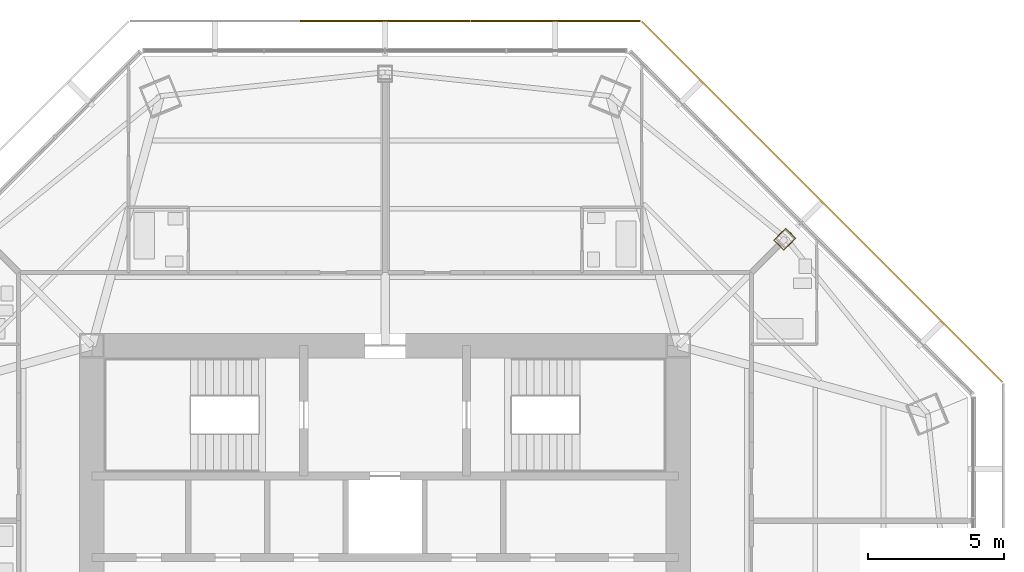
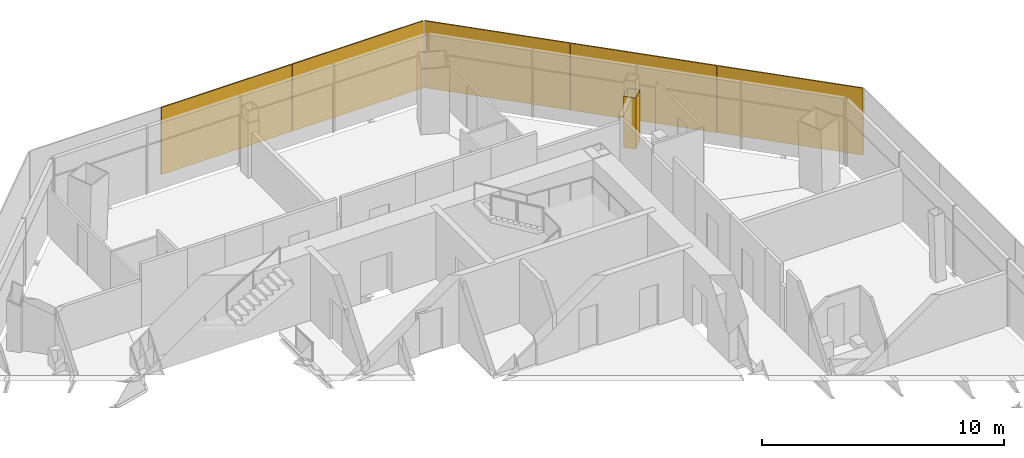
# One storey, part 14 of 15: 5 shading devices, 1 covering.
"""IFC4 building model written with IfcOpenShell, lengths in metres."""

import ifcopenshell
import ifcopenshell.guid

model = None  # the IFC model being written
_history = None  # IfcOwnerHistory: only IFC2X3 demands one
_inside = {}  # id of a spatial element -> (the spatial element, [elements in it])
_under = {}  # id of a project, library or spatial element -> (it, [spatial elements below it])
_declared = {}  # id of a project -> (the project, [libraries it declares])
_typed = {}  # id of a type object -> (the type object, [elements of that type])
_made_of = {}  # id of a material, layer set ... -> (it, [elements and type objects made of it])


def new_model(schema):
    """Start an empty IFC model of exactly this schema.

    Asked for "IFC4X3", IfcOpenShell would pick the latest addendum, in which some entities
    have other attributes; the version numbers below select the first issue.
    IFC2X3 requires an IfcOwnerHistory on every rooted entity: one is made here for all.
    """
    global model, _history
    if schema == "IFC4X3":
        model = ifcopenshell.file(schema_version=(4, 3, 0, 0))
    else:
        model = ifcopenshell.file(schema=schema)
    _inside.clear()
    _under.clear()
    _declared.clear()
    _typed.clear()
    _made_of.clear()
    _history = None
    if model.schema == "IFC2X3":
        org = make("IfcOrganization", Name="unknown")
        user = make(
            "IfcPersonAndOrganization",
            ThePerson=make("IfcPerson", FamilyName="unknown"),
            TheOrganization=org,
        )
        app = make(
            "IfcApplication",
            ApplicationDeveloper=org,
            Version="unknown",
            ApplicationFullName="unknown",
            ApplicationIdentifier="unknown",
        )
        _history = make(
            "IfcOwnerHistory",
            OwningUser=user,
            OwningApplication=app,
            ChangeAction="ADDED",
            CreationDate=0,
        )
    return model


def make(cls, **values):
    """One entity of the class cls with the attributes given. An attribute that is None is left unset."""
    return model.create_entity(
        cls, **{name: value for name, value in values.items() if value is not None}
    )


def rooted(cls, **values):
    """An entity with a GlobalId (a new one), such as an element, a storey or a relation."""
    return make(cls, GlobalId=ifcopenshell.guid.new(), OwnerHistory=_history, **values)


def si_unit(unit_type, name, prefix=None):
    """IfcSIUnit, for example si_unit("LENGTHUNIT", "METRE", prefix="MILLI")."""
    return make("IfcSIUnit", UnitType=unit_type, Prefix=prefix, Name=name)


def assignment(units):
    """IfcUnitAssignment: the units of a project."""
    return None if units is None else make("IfcUnitAssignment", Units=units)


def point(xyz):
    """IfcCartesianPoint."""
    return None if xyz is None else make("IfcCartesianPoint", Coordinates=xyz)


def direction(xyz):
    """IfcDirection."""
    return None if xyz is None else make("IfcDirection", DirectionRatios=xyz)


def frame(location, z_axis=None, x_axis=None):
    """IfcAxis2Placement3D, a coordinate frame: its origin and axes. An axis left out is left unset."""
    return make(
        "IfcAxis2Placement3D",
        Location=point(location),
        Axis=direction(z_axis),
        RefDirection=direction(x_axis),
    )


def frame_2d(location, x_axis=None):
    """IfcAxis2Placement2D, a coordinate frame in the plane: its origin and x axis."""
    return make(
        "IfcAxis2Placement2D", Location=point(location), RefDirection=direction(x_axis)
    )


def origin():
    """The frame at (0, 0, 0) with its axes left unset."""
    return frame((0.0, 0.0, 0.0))


def origin_2d():
    """The frame at (0, 0) in the plane with its x axis left unset."""
    return frame_2d((0.0, 0.0))


def place(relative_to, where):
    """IfcLocalPlacement: puts the frame where relative to a parent placement (None: the world)."""
    return make(
        "IfcLocalPlacement", PlacementRelTo=relative_to, RelativePlacement=where
    )


def context(
    kind, dimensions, precision=None, world=None, true_north=None, identifier=None
):
    """IfcGeometricRepresentationContext, for example the 3D "Model" context."""
    return make(
        "IfcGeometricRepresentationContext",
        ContextIdentifier=identifier,
        ContextType=kind,
        CoordinateSpaceDimension=dimensions,
        Precision=precision,
        WorldCoordinateSystem=world,
        TrueNorth=true_north,
    )


def subcontext(parent, identifier, kind, view, scale=None):
    """IfcGeometricRepresentationSubContext, for example "Body" below "Model"."""
    return make(
        "IfcGeometricRepresentationSubContext",
        ContextIdentifier=identifier,
        ContextType=kind,
        ParentContext=parent,
        TargetScale=scale,
        TargetView=view,
    )


def project(units=None, contexts=None):
    """IfcProject with its units and contexts."""
    return rooted(
        "IfcProject",
        Name="project",
        RepresentationContexts=contexts,
        UnitsInContext=assignment(units),
    )


def spatial(cls, under=None, at=None, **own):
    """A site, building, storey or space (cls), placed at a placement, below another one or the project."""
    s = rooted(cls, ObjectPlacement=at, **own)
    if under is not None:
        _under.setdefault(under.id(), (under, []))[1].append(s)
    return s


def polyline(points):
    """IfcPolyline through the points."""
    return make("IfcPolyline", Points=[point(p) for p in points])


def profile(cls, at=None, kind="AREA", **sizes):
    """A parametric profile (cls). Its sizes go by their IFC names, for example OverallWidth=200.0."""
    return make(cls, ProfileType=kind, Position=at, **sizes)


def rectangle(**sizes):
    """IfcRectangleProfileDef."""
    return profile("IfcRectangleProfileDef", **sizes)


def outline(outer, holes=None, kind="AREA"):
    """IfcArbitraryClosedProfileDef: a profile drawn as a closed curve; with holes, ...WithVoids."""
    if holes is None:
        return make("IfcArbitraryClosedProfileDef", ProfileType=kind, OuterCurve=outer)
    return make(
        "IfcArbitraryProfileDefWithVoids",
        ProfileType=kind,
        OuterCurve=outer,
        InnerCurves=holes,
    )


def extrude(swept, where, along, depth):
    """IfcExtrudedAreaSolid: the profile swept, set in the frame where, extruded along a direction by depth."""
    return make(
        "IfcExtrudedAreaSolid",
        SweptArea=swept,
        Position=where,
        ExtrudedDirection=direction(along),
        Depth=depth,
    )


def shape(context_of_items, identifier, shape_type, items):
    """IfcShapeRepresentation: the items that make up one representation, for example the "Body"."""
    return make(
        "IfcShapeRepresentation",
        ContextOfItems=context_of_items,
        RepresentationIdentifier=identifier,
        RepresentationType=shape_type,
        Items=items,
    )


def source(mapping_origin, context_of_items, identifier, shape_type, items):
    """IfcRepresentationMap: a shape defined once, which mapped items show again and again."""
    return make(
        "IfcRepresentationMap",
        MappingOrigin=mapping_origin,
        MappedRepresentation=shape(context_of_items, identifier, shape_type, items),
    )


def transform(
    local_origin,
    x_axis=None,
    y_axis=None,
    z_axis=None,
    scale=None,
    scale2=None,
    scale3=None,
    uniform=True,
):
    """IfcCartesianTransformationOperator3D, or its non-uniform kind. x_axis, y_axis, z_axis: its Axis1, 2, 3."""
    if uniform:
        return make(
            "IfcCartesianTransformationOperator3D",
            Axis1=direction(x_axis),
            Axis2=direction(y_axis),
            LocalOrigin=point(local_origin),
            Scale=scale,
            Axis3=direction(z_axis),
        )
    return make(
        "IfcCartesianTransformationOperator3DnonUniform",
        Axis1=direction(x_axis),
        Axis2=direction(y_axis),
        LocalOrigin=point(local_origin),
        Scale=scale,
        Axis3=direction(z_axis),
        Scale2=scale2,
        Scale3=scale3,
    )


def mapped(mapping_source, mapping_target):
    """IfcMappedItem: shows the shape of a source again, moved by a transform."""
    return make(
        "IfcMappedItem", MappingSource=mapping_source, MappingTarget=mapping_target
    )


def material(Name=None, Category=None):
    """IfcMaterial."""
    return make("IfcMaterial", Name=Name, Category=Category)


def layer(
    of_material, thickness, ventilated=None, Name=None, Category=None, Priority=None
):
    """IfcMaterialLayer: one layer of a wall or slab, of a material (None: an air gap)."""
    return make(
        "IfcMaterialLayer",
        Material=of_material,
        LayerThickness=thickness,
        IsVentilated=ventilated,
        Name=Name,
        Category=Category,
        Priority=Priority,
    )


def layer_set(layers, Name=None):
    """IfcMaterialLayerSet."""
    return make("IfcMaterialLayerSet", MaterialLayers=layers, LayerSetName=Name)


def made_of(thing, what):
    """Note that an element or type object is made of a material, layer set ...; save() writes the relation."""
    if what is not None:
        _made_of.setdefault(what.id(), (what, []))[1].append(thing)
    return thing


def type_object(cls, material=None, **own):
    """A type object (cls), such as IfcWallType, which elements share."""
    return made_of(rooted(cls, **own), material)


def type_shapes(of_type, sources):
    """Give a type object the sources (RepresentationMaps) that its elements show as mapped items."""
    of_type.RepresentationMaps = sources


def element(
    cls,
    number,
    at=None,
    inside=None,
    cuts=None,
    type_object=None,
    material=None,
    context=None,
    identifier="Body",
    shape_type=None,
    held_by="IfcProductDefinitionShape",
    body=None,
    shapes=None,
    **own,
):
    """One element of the class cls, such as IfcWall. Its Tag is "e" and its number.

    at: its placement. inside: the storey or other place that contains it. cuts: it is an
    opening in that element (IfcRelVoidsElement). A single representation is given by context,
    identifier, shape_type and body (its items); several are given by shapes. held_by: the class
    of the entity that holds the representations. save() writes the other relations.
    """
    e = rooted(cls, Tag="e%d" % number, ObjectPlacement=at, **own)
    if body is not None:
        shapes = [shape(context, identifier, shape_type, body)]
    if shapes is not None:
        e.Representation = make(held_by, Representations=shapes)
    if inside is not None:
        _inside.setdefault(inside.id(), (inside, []))[1].append(e)
    if cuts is not None:
        rooted(
            "IfcRelVoidsElement", RelatingBuildingElement=cuts, RelatedOpeningElement=e
        )
    if type_object is not None:
        _typed.setdefault(type_object.id(), (type_object, []))[1].append(e)
    return made_of(e, material)


def aggregate(whole, parts):
    """IfcRelAggregates: a whole, such as a stair, and the parts it consists of."""
    return rooted("IfcRelAggregates", RelatingObject=whole, RelatedObjects=parts)


def save(model, path):
    """Write the relations noted so far, then the file.

    IfcRelAggregates (storeys below a building ...), IfcRelContainedInSpatialStructure (elements
    in a storey), IfcRelDefinesByType, IfcRelAssociatesMaterial and IfcRelDeclares: one each for
    every whole, place, type object, material and project.
    """
    for whole, parts in _under.values():
        aggregate(whole, parts)
    for where, things in _inside.values():
        rooted(
            "IfcRelContainedInSpatialStructure",
            RelatedElements=things,
            RelatingStructure=where,
        )
    for kind, things in _typed.values():
        rooted("IfcRelDefinesByType", RelatedObjects=things, RelatingType=kind)
    for what, things in _made_of.values():
        rooted("IfcRelAssociatesMaterial", RelatedObjects=things, RelatingMaterial=what)
    for by, libraries in _declared.values():
        rooted("IfcRelDeclares", RelatingContext=by, RelatedDefinitions=libraries)
    model.write(path)


model = new_model("IFC4")

# Units and contexts
model_context = context("Model", 3, precision=1e-05, world=origin(), true_north=direction((0.0, 1.0)))
body_context = subcontext(model_context, "Body", "Model", "MODEL_VIEW")
ifc_project = project(units=[si_unit("LENGTHUNIT", "METRE"), si_unit("AREAUNIT", "SQUARE_METRE"), si_unit("VOLUMEUNIT", "CUBIC_METRE"), si_unit("PLANEANGLEUNIT", "RADIAN"), si_unit("MASSUNIT", "GRAM", prefix="KILO")], contexts=[model_context])

# Site, building, storey
site_placement = place(None, origin())
site = spatial("IfcSite", under=ifc_project, at=site_placement, CompositionType="ELEMENT")
building_placement = place(site_placement, origin())
building = spatial("IfcBuilding", under=site, at=building_placement, Name="Mashrafa Tower", CompositionType="ELEMENT")
storey_placement = place(building_placement, frame((0.0, 0.0, 224.39990234375)))
storey = spatial("IfcBuildingStorey", under=building, at=storey_placement, Name="L52", CompositionType="ELEMENT", Elevation=224.39990234375)

# Covering
ifc_material_1 = material(Name="Gypsum board")
ifc_layer_1 = layer(ifc_material_1, 0.014892578125)
ifc_layer_set_1 = layer_set([ifc_layer_1], Name="Column casing plasterboard 15")
covering_type = type_object("IfcCoveringType", Name="Column casing plasterboard 15", PredefinedType="CLADDING", material=ifc_layer_set_1)
covering_placement = place(storey_placement, origin())
element("IfcCovering", 1, at=covering_placement, inside=storey, type_object=covering_type, Name="Column casing L52-001", PredefinedType="CLADDING", context=body_context, shape_type="SweptSolid", body=[
    extrude(outline(polyline([(14.312255859375, 14.68701171875), (14.755126953125, 15.1298828125), (15.1298828125, 14.755126953125), (14.68701171875, 14.312255859375), (14.312255859375, 14.68701171875)]), holes=[polyline([(15.108642578125, 14.755126953125), (14.755126953125, 15.108642578125), (14.33349609375, 14.68701171875), (14.68701171875, 14.33349609375), (15.108642578125, 14.755126953125)])]), origin(), (0.0, 0.0, 1.0), 2.5830078125),
])

# Shading devices
ifc_material_2 = material(Name="Perforated aluminium plate, eight-point star pattern", Category="aluminium")
ifc_layer_2 = layer(ifc_material_2, 0.06005859375)
ifc_layer_set_2 = layer_set([ifc_layer_2], Name="Mashrabiya screen panel apartment zone 3, 28 percent open")
shading_device_type = type_object("IfcShadingDeviceType", Name="Mashrabiya screen panel apartment zone 3, 28 percent open", PredefinedType="SHUTTER", material=ifc_layer_set_2)
shared_shape = source(origin(), body_context, "Body", "SweptSolid", [
    extrude(rectangle(XDim=6.251953125, YDim=0.06005859375, at=origin_2d()), origin(), (0.0, 0.0, 1.0), 3.3798828125),
])
type_shapes(shading_device_type, [shared_shape])
for number, where, z_axis, x_axis, name in (
    (2, (20.533447265625, 11.66357421875, -0.14990234375), (0.0, 0.0, 1.0), (-0.707106781187, 0.707106781187, 0.0), "Mashrabiya screen L52 north-east 1"),
    (3, (16.0986328125, 16.0986328125, -0.14990234375), (0.0, 0.0, 1.0), (-0.707106781187, 0.707106781187, 0.0), "Mashrabiya screen L52 north-east 2"),
    (4, (11.66357421875, 20.533447265625, -0.14990234375), (0.0, 0.0, 1.0), (-0.707106781187, 0.707106781187, 0.0), "Mashrabiya screen L52 north-east 3"),
    (5, (6.27197265625, 22.766845703125, -0.14990234375), (0.0, 0.0, 1.0), (-1.0, 0.0, 0.0), "Mashrabiya screen L52 north 1"),
    (6, (0.0, 22.766845703125, -0.14990234375), (0.0, 0.0, 1.0), (-1.0, 0.0, 0.0), "Mashrabiya screen L52 north 2"),
):
    element("IfcShadingDevice", number, at=place(storey_placement, frame(where, z_axis=z_axis, x_axis=x_axis)), inside=storey, type_object=shading_device_type, Name=name, PredefinedType="SHUTTER", context=body_context, shape_type="MappedRepresentation", body=[
        mapped(shared_shape, transform((0.0, 0.0, 0.0))),
    ])

save(model, "model.ifc")
